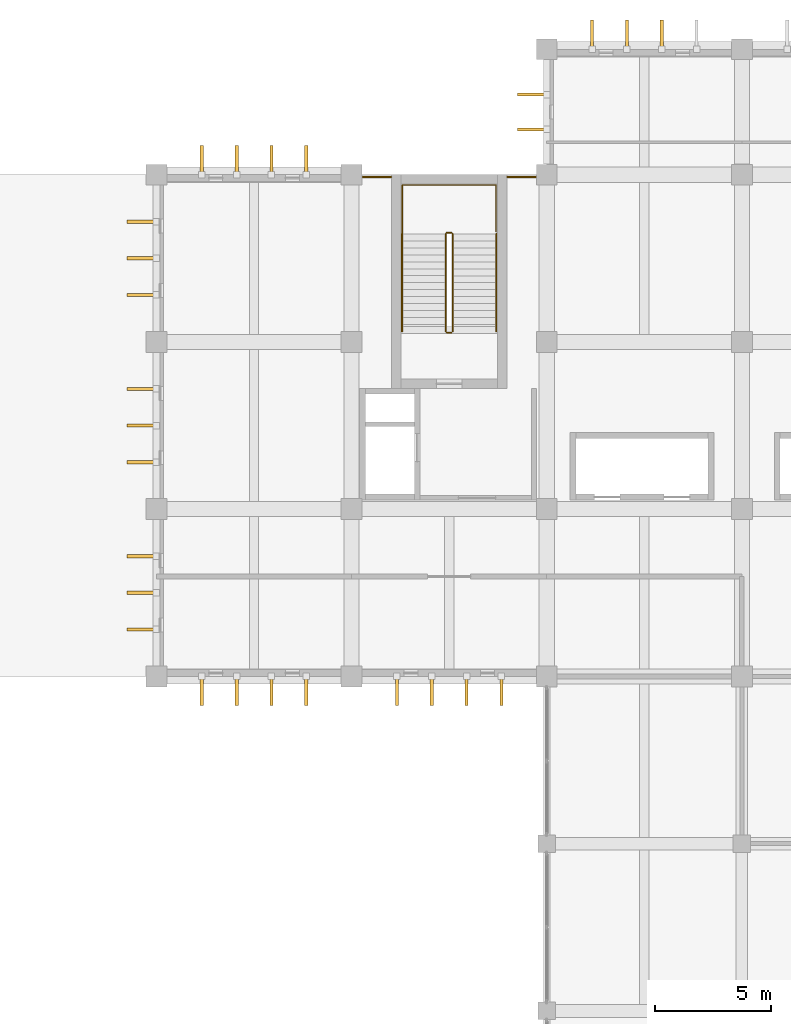
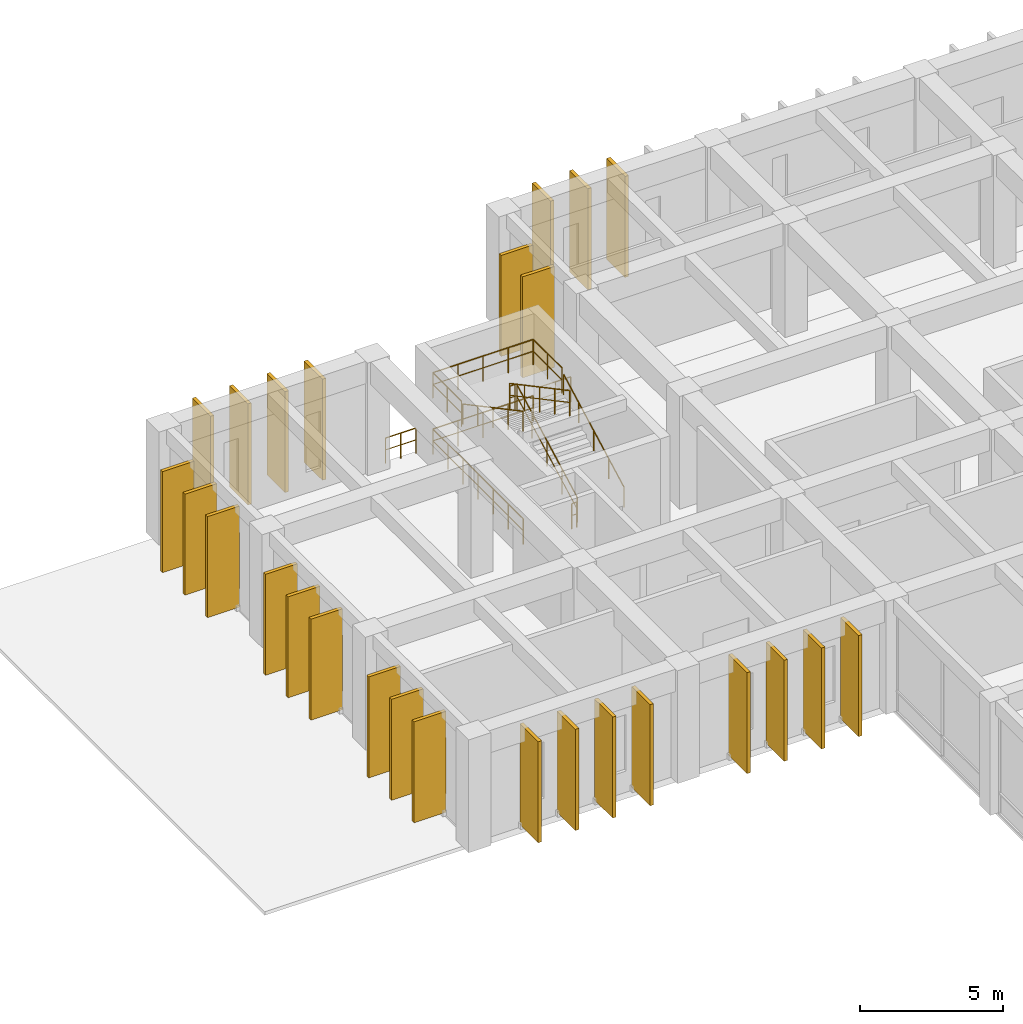
# One storey, part 49 of 52: 26 shading devices, 10 railings.
"""IFC4 building model written with IfcOpenShell, lengths in metres."""

from ifc_helpers import new_model, si_unit, direction, frame, origin, origin_2d, place, context, subcontext, project, spatial, rectangle, circle, extrude, material, type_object, element, save


model = new_model("IFC4")

# Units and contexts
model_context = context("Model", 3, precision=1e-05, world=origin(), true_north=direction((0.0, 1.0)))
body_context = subcontext(model_context, "Body", "Model", "MODEL_VIEW")
ifc_project = project(units=[si_unit("LENGTHUNIT", "METRE"), si_unit("AREAUNIT", "SQUARE_METRE"), si_unit("VOLUMEUNIT", "CUBIC_METRE"), si_unit("PLANEANGLEUNIT", "RADIAN"), si_unit("MASSUNIT", "GRAM", prefix="KILO")], contexts=[model_context])

# Site, building, storey
site_placement = place(None, origin())
site = spatial("IfcSite", under=ifc_project, at=site_placement, CompositionType="ELEMENT")
building_placement = place(site_placement, origin())
building = spatial("IfcBuilding", under=site, at=building_placement, Name="Kenerak Square Central Library", CompositionType="ELEMENT")
storey_placement = place(building_placement, frame((0.0, 0.0, 4.800048828125)))
storey = spatial("IfcBuildingStorey", under=building, at=storey_placement, Name="L01", CompositionType="ELEMENT", Elevation=4.800048828125)

# Shading devices
ifc_material_1 = material(Name="White precast concrete C40/50", Category="concrete")
shading_device_type = type_object("IfcShadingDeviceType", Name="Precast Vertical Solar Fin SF-1280 C40/50", PredefinedType="USERDEFINED", material=ifc_material_1)
for number, where, z_axis, x_axis, name in (
    (1, (64.85009765625, 88.179931640625, 0.10009765625), (0.0, 0.0, 1.0), (-1.0, 0.0, 0.0), "Precast Solar Fin FIN-01 L01 0001"),
    (2, (63.35009765625, 88.179931640625, 0.10009765625), (0.0, 0.0, 1.0), (-1.0, 0.0, 0.0), "Precast Solar Fin FIN-01 L01 0002"),
    (3, (61.85009765625, 88.179931640625, 0.10009765625), (0.0, 0.0, 1.0), (-1.0, 0.0, 0.0), "Precast Solar Fin FIN-01 L01 0003"),
    (4, (60.35009765625, 88.179931640625, 0.10009765625), (0.0, 0.0, 1.0), (-1.0, 0.0, 0.0), "Precast Solar Fin FIN-01 L01 0004"),
    (5, (56.449951171875, 88.179931640625, 0.10009765625), (0.0, 0.0, 1.0), (-1.0, 0.0, 0.0), "Precast Solar Fin FIN-01 L01 0005"),
    (6, (54.949951171875, 88.179931640625, 0.10009765625), (0.0, 0.0, 1.0), (-1.0, 0.0, 0.0), "Precast Solar Fin FIN-01 L01 0006"),
    (7, (53.449951171875, 88.179931640625, 0.10009765625), (0.0, 0.0, 1.0), (-1.0, 0.0, 0.0), "Precast Solar Fin FIN-01 L01 0007"),
    (8, (51.949951171875, 88.179931640625, 0.10009765625), (0.0, 0.0, 1.0), (-1.0, 0.0, 0.0), "Precast Solar Fin FIN-01 L01 0008"),
    (9, (49.3798828125, 90.824951171875, 0.10009765625), (0.0, 0.0, 1.0), (0.0, 1.0, 0.0), "Precast Solar Fin FIN-01 L01 0009"),
    (10, (49.3798828125, 92.39990234375, 0.10009765625), (0.0, 0.0, 1.0), (0.0, 1.0, 0.0), "Precast Solar Fin FIN-01 L01 0010"),
    (11, (49.3798828125, 93.97509765625, 0.10009765625), (0.0, 0.0, 1.0), (0.0, 1.0, 0.0), "Precast Solar Fin FIN-01 L01 0011"),
    (12, (49.3798828125, 98.02490234375, 0.10009765625), (0.0, 0.0, 1.0), (0.0, 1.0, 0.0), "Precast Solar Fin FIN-01 L01 0012"),
    (13, (49.3798828125, 99.60009765625, 0.10009765625), (0.0, 0.0, 1.0), (0.0, 1.0, 0.0), "Precast Solar Fin FIN-01 L01 0013"),
    (14, (49.3798828125, 101.175048828125, 0.10009765625), (0.0, 0.0, 1.0), (0.0, 1.0, 0.0), "Precast Solar Fin FIN-01 L01 0014"),
    (15, (49.3798828125, 105.22509765625, 0.10009765625), (0.0, 0.0, 1.0), (0.0, 1.0, 0.0), "Precast Solar Fin FIN-01 L01 0015"),
    (16, (49.3798828125, 106.800048828125, 0.10009765625), (0.0, 0.0, 1.0), (0.0, 1.0, 0.0), "Precast Solar Fin FIN-01 L01 0016"),
    (17, (49.3798828125, 108.375, 0.10009765625), (0.0, 0.0, 1.0), (0.0, 1.0, 0.0), "Precast Solar Fin FIN-01 L01 0017"),
    (18, (51.949951171875, 111.02001953125, 0.10009765625), (0.0, 0.0, 1.0), (1.0, 0.0, 0.0), "Precast Solar Fin FIN-01 L01 0018"),
    (19, (53.449951171875, 111.02001953125, 0.10009765625), (0.0, 0.0, 1.0), (1.0, 0.0, 0.0), "Precast Solar Fin FIN-01 L01 0019"),
    (20, (54.949951171875, 111.02001953125, 0.10009765625), (0.0, 0.0, 1.0), (1.0, 0.0, 0.0), "Precast Solar Fin FIN-01 L01 0020"),
    (21, (56.449951171875, 111.02001953125, 0.10009765625), (0.0, 0.0, 1.0), (1.0, 0.0, 0.0), "Precast Solar Fin FIN-01 L01 0021"),
    (22, (66.179931640625, 112.35009765625, 0.10009765625), (0.0, 0.0, 1.0), (0.0, 1.0, 0.0), "Precast Solar Fin FIN-01 L01 0022"),
    (23, (66.179931640625, 113.85009765625, 0.10009765625), (0.0, 0.0, 1.0), (0.0, 1.0, 0.0), "Precast Solar Fin FIN-01 L01 0023"),
    (24, (68.75, 116.419921875, 0.10009765625), (0.0, 0.0, 1.0), (1.0, 0.0, 0.0), "Precast Solar Fin FIN-01 L01 0024"),
    (25, (70.25, 116.419921875, 0.10009765625), (0.0, 0.0, 1.0), (1.0, 0.0, 0.0), "Precast Solar Fin FIN-01 L01 0025"),
    (26, (71.75, 116.419921875, 0.10009765625), (0.0, 0.0, 1.0), (1.0, 0.0, 0.0), "Precast Solar Fin FIN-01 L01 0026"),
):
    element("IfcShadingDevice", number, at=place(storey_placement, frame(where, z_axis=z_axis, x_axis=x_axis)), inside=storey, type_object=shading_device_type, Name=name, ObjectType="FIN", PredefinedType="USERDEFINED", context=body_context, shape_type="SweptSolid", body=[
        extrude(rectangle(XDim=0.139892578125, YDim=1.280029296875, at=origin_2d()), origin(), (0.0, 0.0, 1.0), 4.300048828125),
    ])

# Railings
ifc_material_2 = material(Name="Steel S355", Category="steel")
railing_type_1 = type_object("IfcRailingType", Name="Safety Guardrail GR-1100 S355", PredefinedType="GUARDRAIL", material=ifc_material_2)
railing_1_placement = place(storey_placement, frame((62.75, 103.64990234375, 0.159912109375)))
element("IfcRailing", 27, at=railing_1_placement, inside=storey, type_object=railing_type_1, Name="L01 ST-01 stair guard 1", PredefinedType="GUARDRAIL", context=body_context, shape_type="SweptSolid", body=[
    extrude(circle(Radius=0.02392578125, at=origin_2d()), frame((0.0, 0.0, 1.076171875), z_axis=(0.0, 0.882362879185, 0.470569601054), x_axis=(-1.0, 0.0, 0.0)), (0.0, 0.0, 1.0), 4.76025390625),
    extrude(circle(Radius=0.01806640625, at=origin_2d()), frame((0.0, 0.0, 0.572021484375), z_axis=(0.0, 0.882362879185, 0.470569601054), x_axis=(-1.0, 0.0, 0.0)), (0.0, 0.0, 1.0), 4.76025390625),
    extrude(circle(Radius=0.02099609375, at=origin_2d()), origin(), (0.0, 0.0, 1.0), 1.052001953125),
    extrude(circle(Radius=0.02099609375, at=origin_2d()), frame((0.0, 1.050048828125, 0.56005859375)), (0.0, 0.0, 1.0), 1.052001953125),
    extrude(circle(Radius=0.02099609375, at=origin_2d()), frame((0.0, 2.10009765625, 1.1201171875)), (0.0, 0.0, 1.0), 1.052001953125),
    extrude(circle(Radius=0.02099609375, at=origin_2d()), frame((0.0, 3.150146484375, 1.679931640625)), (0.0, 0.0, 1.0), 1.052001953125),
    extrude(circle(Radius=0.02099609375, at=origin_2d()), frame((0.0, 4.2001953125, 2.239990234375)), (0.0, 0.0, 1.0), 1.052001953125),
])
railing_2_placement = place(storey_placement, frame((62.699951171875, 107.89990234375, 2.39990234375)))
element("IfcRailing", 28, at=railing_2_placement, inside=storey, type_object=railing_type_1, Name="L01 ST-01 stair guard 2", PredefinedType="GUARDRAIL", context=body_context, shape_type="SweptSolid", body=[
    extrude(circle(Radius=0.02392578125, at=origin_2d()), frame((0.0, 0.0, 1.076171875), z_axis=(-1.0, 0.0, 0.0), x_axis=(0.0, -1.0, 0.0)), (0.0, 0.0, 1.0), 0.199951171875),
    extrude(circle(Radius=0.01806640625, at=origin_2d()), frame((0.0, 0.0, 0.572021484375), z_axis=(-1.0, 0.0, 0.0), x_axis=(0.0, -1.0, 0.0)), (0.0, 0.0, 1.0), 0.199951171875),
    extrude(circle(Radius=0.02099609375, at=origin_2d()), origin(), (0.0, 0.0, 1.0), 1.052001953125),
    extrude(circle(Radius=0.02099609375, at=origin_2d()), frame((-0.199951171875, 0.0, 0.0)), (0.0, 0.0, 1.0), 1.052001953125),
])
railing_3_placement = place(storey_placement, frame((62.449951171875, 107.85009765625, 2.56005859375)))
element("IfcRailing", 29, at=railing_3_placement, inside=storey, type_object=railing_type_1, Name="L01 ST-01 stair guard 3", PredefinedType="GUARDRAIL", context=body_context, shape_type="SweptSolid", body=[
    extrude(circle(Radius=0.02392578125, at=origin_2d()), frame((0.0, 0.0, 1.076171875), z_axis=(0.0, -0.882362879185, 0.470569601054), x_axis=(1.0, 0.0, 0.0)), (0.0, 0.0, 1.0), 4.76025390625),
    extrude(circle(Radius=0.01806640625, at=origin_2d()), frame((0.0, 0.0, 0.572021484375), z_axis=(0.0, -0.882362879185, 0.470569601054), x_axis=(1.0, 0.0, 0.0)), (0.0, 0.0, 1.0), 4.76025390625),
    extrude(circle(Radius=0.02099609375, at=origin_2d()), origin(), (0.0, 0.0, 1.0), 1.052001953125),
    extrude(circle(Radius=0.02099609375, at=origin_2d()), frame((0.0, -1.050048828125, 0.56005859375)), (0.0, 0.0, 1.0), 1.052001953125),
    extrude(circle(Radius=0.02099609375, at=origin_2d()), frame((0.0, -2.10009765625, 1.1201171875)), (0.0, 0.0, 1.0), 1.052001953125),
    extrude(circle(Radius=0.02099609375, at=origin_2d()), frame((0.0, -3.150146484375, 1.679931640625)), (0.0, 0.0, 1.0), 1.052001953125),
    extrude(circle(Radius=0.02099609375, at=origin_2d()), frame((0.0, -4.2001953125, 2.239990234375)), (0.0, 0.0, 1.0), 1.052001953125),
])
railing_4_placement = place(storey_placement, frame((62.699951171875, 103.60009765625, 0.0)))
element("IfcRailing", 30, at=railing_4_placement, inside=storey, type_object=railing_type_1, Name="L01 ST-01 stair guard 4", PredefinedType="GUARDRAIL", context=body_context, shape_type="SweptSolid", body=[
    extrude(circle(Radius=0.02392578125, at=origin_2d()), frame((0.0, 0.0, 1.076171875), z_axis=(-1.0, 0.0, 0.0), x_axis=(0.0, -1.0, 0.0)), (0.0, 0.0, 1.0), 0.199951171875),
    extrude(circle(Radius=0.01806640625, at=origin_2d()), frame((0.0, 0.0, 0.572021484375), z_axis=(-1.0, 0.0, 0.0), x_axis=(0.0, -1.0, 0.0)), (0.0, 0.0, 1.0), 0.199951171875),
    extrude(circle(Radius=0.02099609375, at=origin_2d()), origin(), (0.0, 0.0, 1.0), 1.052001953125),
    extrude(circle(Radius=0.02099609375, at=origin_2d()), frame((-0.199951171875, 0.0, 0.0)), (0.0, 0.0, 1.0), 1.052001953125),
])
railing_5_placement = place(storey_placement, frame((60.580078125, 107.949951171875, 2.39990234375)))
element("IfcRailing", 31, at=railing_5_placement, inside=storey, type_object=railing_type_1, Name="Stair Half-Landing Guard ST-01 L01", PredefinedType="GUARDRAIL", context=body_context, shape_type="SweptSolid", body=[
    extrude(circle(Radius=0.02392578125, at=origin_2d()), frame((0.0, 0.0, 1.076171875), z_axis=(0.0, 1.0, 0.0), x_axis=(-1.0, 0.0, 0.0)), (0.0, 0.0, 1.0), 2.0),
    extrude(circle(Radius=0.01806640625, at=origin_2d()), frame((0.0, 0.0, 0.572021484375), z_axis=(0.0, 1.0, 0.0), x_axis=(-1.0, 0.0, 0.0)), (0.0, 0.0, 1.0), 2.0),
    extrude(circle(Radius=0.02392578125, at=origin_2d()), frame((0.0, 2.0, 1.076171875), z_axis=(1.0, 0.0, 0.0), x_axis=(0.0, 1.0, 0.0)), (0.0, 0.0, 1.0), 4.0400390625),
    extrude(circle(Radius=0.01806640625, at=origin_2d()), frame((0.0, 2.0, 0.572021484375), z_axis=(1.0, 0.0, 0.0), x_axis=(0.0, 1.0, 0.0)), (0.0, 0.0, 1.0), 4.0400390625),
    extrude(circle(Radius=0.02392578125, at=origin_2d()), frame((4.0400390625, 2.0, 1.076171875), z_axis=(0.0, -1.0, 0.0), x_axis=(1.0, 0.0, 0.0)), (0.0, 0.0, 1.0), 2.0),
    extrude(circle(Radius=0.01806640625, at=origin_2d()), frame((4.0400390625, 2.0, 0.572021484375), z_axis=(0.0, -1.0, 0.0), x_axis=(1.0, 0.0, 0.0)), (0.0, 0.0, 1.0), 2.0),
    extrude(circle(Radius=0.02099609375, at=origin_2d()), origin(), (0.0, 0.0, 1.0), 1.052001953125),
    extrude(circle(Radius=0.02099609375, at=origin_2d()), frame((0.0, 1.0, 0.0)), (0.0, 0.0, 1.0), 1.052001953125),
    extrude(circle(Radius=0.02099609375, at=origin_2d()), frame((0.0, 2.0, 0.0)), (0.0, 0.0, 1.0), 1.052001953125),
    extrude(circle(Radius=0.02099609375, at=origin_2d()), frame((1.010009765625, 2.0, 0.0)), (0.0, 0.0, 1.0), 1.052001953125),
    extrude(circle(Radius=0.02099609375, at=origin_2d()), frame((2.02001953125, 2.0, 0.0)), (0.0, 0.0, 1.0), 1.052001953125),
    extrude(circle(Radius=0.02099609375, at=origin_2d()), frame((3.030029296875, 2.0, 0.0)), (0.0, 0.0, 1.0), 1.052001953125),
    extrude(circle(Radius=0.02099609375, at=origin_2d()), frame((4.0400390625, 2.0, 0.0)), (0.0, 0.0, 1.0), 1.052001953125),
    extrude(circle(Radius=0.02099609375, at=origin_2d()), frame((4.0400390625, 1.0, 0.0)), (0.0, 0.0, 1.0), 1.052001953125),
    extrude(circle(Radius=0.02099609375, at=origin_2d()), frame((4.0400390625, 0.0, 0.0)), (0.0, 0.0, 1.0), 1.052001953125),
])
railing_6_placement = place(storey_placement, frame((60.580078125, 103.64990234375, 0.0)))
element("IfcRailing", 32, at=railing_6_placement, inside=storey, type_object=railing_type_1, Name="Stair Well Floor Guard ST-01 L01", PredefinedType="GUARDRAIL", context=body_context, shape_type="SweptSolid", body=[
    extrude(circle(Radius=0.02392578125, at=origin_2d()), frame((0.0, 0.0, 1.076171875), z_axis=(0.0, 1.0, 0.0), x_axis=(-1.0, 0.0, 0.0)), (0.0, 0.0, 1.0), 6.300048828125),
    extrude(circle(Radius=0.01806640625, at=origin_2d()), frame((0.0, 0.0, 0.572021484375), z_axis=(0.0, 1.0, 0.0), x_axis=(-1.0, 0.0, 0.0)), (0.0, 0.0, 1.0), 6.300048828125),
    extrude(circle(Radius=0.02392578125, at=origin_2d()), frame((0.0, 6.300048828125, 1.076171875), z_axis=(1.0, 0.0, 0.0), x_axis=(0.0, 1.0, 0.0)), (0.0, 0.0, 1.0), 4.0400390625),
    extrude(circle(Radius=0.01806640625, at=origin_2d()), frame((0.0, 6.300048828125, 0.572021484375), z_axis=(1.0, 0.0, 0.0), x_axis=(0.0, 1.0, 0.0)), (0.0, 0.0, 1.0), 4.0400390625),
    extrude(circle(Radius=0.02099609375, at=origin_2d()), origin(), (0.0, 0.0, 1.0), 1.052001953125),
    extrude(circle(Radius=0.02099609375, at=origin_2d()), frame((0.0, 1.050048828125, 0.0)), (0.0, 0.0, 1.0), 1.052001953125),
    extrude(circle(Radius=0.02099609375, at=origin_2d()), frame((0.0, 2.10009765625, 0.0)), (0.0, 0.0, 1.0), 1.052001953125),
    extrude(circle(Radius=0.02099609375, at=origin_2d()), frame((0.0, 3.14990234375, 0.0)), (0.0, 0.0, 1.0), 1.052001953125),
    extrude(circle(Radius=0.02099609375, at=origin_2d()), frame((0.0, 4.199951171875, 0.0)), (0.0, 0.0, 1.0), 1.052001953125),
    extrude(circle(Radius=0.02099609375, at=origin_2d()), frame((0.0, 5.25, 0.0)), (0.0, 0.0, 1.0), 1.052001953125),
    extrude(circle(Radius=0.02099609375, at=origin_2d()), frame((0.0, 6.300048828125, 0.0)), (0.0, 0.0, 1.0), 1.052001953125),
    extrude(circle(Radius=0.02099609375, at=origin_2d()), frame((1.010009765625, 6.300048828125, 0.0)), (0.0, 0.0, 1.0), 1.052001953125),
    extrude(circle(Radius=0.02099609375, at=origin_2d()), frame((2.02001953125, 6.300048828125, 0.0)), (0.0, 0.0, 1.0), 1.052001953125),
    extrude(circle(Radius=0.02099609375, at=origin_2d()), frame((3.030029296875, 6.300048828125, 0.0)), (0.0, 0.0, 1.0), 1.052001953125),
    extrude(circle(Radius=0.02099609375, at=origin_2d()), frame((4.0400390625, 6.300048828125, 0.0)), (0.0, 0.0, 1.0), 1.052001953125),
])
for number, where, name in (
    (33, (58.8720703125, 110.300048828125, 0.0), "Perimeter Edge Guardrail L01 59-1"),
    (34, (65.10205078125, 110.300048828125, 0.0), "Perimeter Edge Guardrail L01 65-2"),
):
    element("IfcRailing", number, at=place(storey_placement, frame(where)), inside=storey, type_object=railing_type_1, Name=name, PredefinedType="GUARDRAIL", context=body_context, shape_type="SweptSolid", body=[
        extrude(circle(Radius=0.02392578125, at=origin_2d()), frame((0.0, 0.0, 1.076171875), z_axis=(1.0, 0.0, 0.0), x_axis=(0.0, 1.0, 0.0)), (0.0, 0.0, 1.0), 1.225830078125),
        extrude(circle(Radius=0.01806640625, at=origin_2d()), frame((0.0, 0.0, 0.572021484375), z_axis=(1.0, 0.0, 0.0), x_axis=(0.0, 1.0, 0.0)), (0.0, 0.0, 1.0), 1.225830078125),
        extrude(circle(Radius=0.02099609375, at=origin_2d()), origin(), (0.0, 0.0, 1.0), 1.052001953125),
        extrude(circle(Radius=0.02099609375, at=origin_2d()), frame((0.61279296875, 0.0, 0.0)), (0.0, 0.0, 1.0), 1.052001953125),
        extrude(circle(Radius=0.02099609375, at=origin_2d()), frame((1.225830078125, 0.0, 0.0)), (0.0, 0.0, 1.0), 1.052001953125),
    ])
railing_type_2 = type_object("IfcRailingType", Name="Stair Handrail HR-880 S355", PredefinedType="HANDRAIL", material=ifc_material_2)
railing_7_placement = place(storey_placement, frame((64.6298828125, 103.64990234375, 0.159912109375)))
element("IfcRailing", 35, at=railing_7_placement, inside=storey, type_object=railing_type_2, Name="L01 ST-01 stair handrail 1", PredefinedType="HANDRAIL", context=body_context, shape_type="SweptSolid", body=[
    extrude(circle(Radius=0.02392578125, at=origin_2d()), frame((0.0, 0.0, 0.85595703125), z_axis=(0.0, 0.882362879185, 0.470569601054), x_axis=(-1.0, 0.0, 0.0)), (0.0, 0.0, 1.0), 4.76025390625),
    extrude(circle(Radius=0.02099609375, at=origin_2d()), origin(), (0.0, 0.0, 1.0), 0.831787109375),
    extrude(circle(Radius=0.02099609375, at=origin_2d()), frame((0.0, 1.050048828125, 0.56005859375)), (0.0, 0.0, 1.0), 0.831787109375),
    extrude(circle(Radius=0.02099609375, at=origin_2d()), frame((0.0, 2.10009765625, 1.1201171875)), (0.0, 0.0, 1.0), 0.831787109375),
    extrude(circle(Radius=0.02099609375, at=origin_2d()), frame((0.0, 3.150146484375, 1.679931640625)), (0.0, 0.0, 1.0), 0.831787109375),
    extrude(circle(Radius=0.02099609375, at=origin_2d()), frame((0.0, 4.2001953125, 2.239990234375)), (0.0, 0.0, 1.0), 0.831787109375),
])
railing_8_placement = place(storey_placement, frame((60.570068359375, 107.85009765625, 2.56005859375)))
element("IfcRailing", 36, at=railing_8_placement, inside=storey, type_object=railing_type_2, Name="L01 ST-01 stair handrail 2", PredefinedType="HANDRAIL", context=body_context, shape_type="SweptSolid", body=[
    extrude(circle(Radius=0.02392578125, at=origin_2d()), frame((0.0, 0.0, 0.85595703125), z_axis=(0.0, -0.882362879185, 0.470569601054), x_axis=(1.0, 0.0, 0.0)), (0.0, 0.0, 1.0), 4.76025390625),
    extrude(circle(Radius=0.02099609375, at=origin_2d()), origin(), (0.0, 0.0, 1.0), 0.831787109375),
    extrude(circle(Radius=0.02099609375, at=origin_2d()), frame((0.0, -1.050048828125, 0.56005859375)), (0.0, 0.0, 1.0), 0.831787109375),
    extrude(circle(Radius=0.02099609375, at=origin_2d()), frame((0.0, -2.10009765625, 1.1201171875)), (0.0, 0.0, 1.0), 0.831787109375),
    extrude(circle(Radius=0.02099609375, at=origin_2d()), frame((0.0, -3.150146484375, 1.679931640625)), (0.0, 0.0, 1.0), 0.831787109375),
    extrude(circle(Radius=0.02099609375, at=origin_2d()), frame((0.0, -4.2001953125, 2.239990234375)), (0.0, 0.0, 1.0), 0.831787109375),
])

save(model, "model.ifc")
